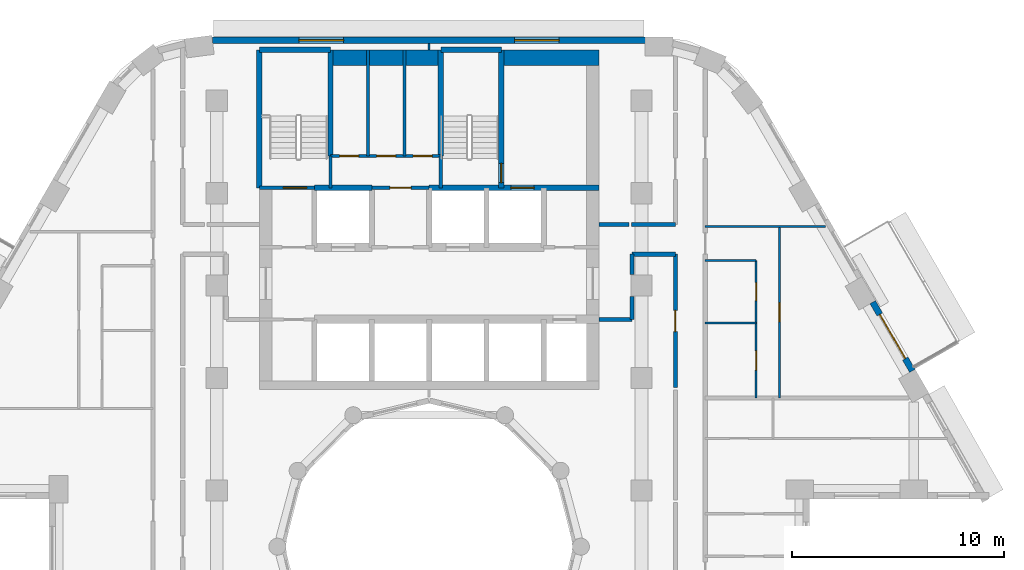
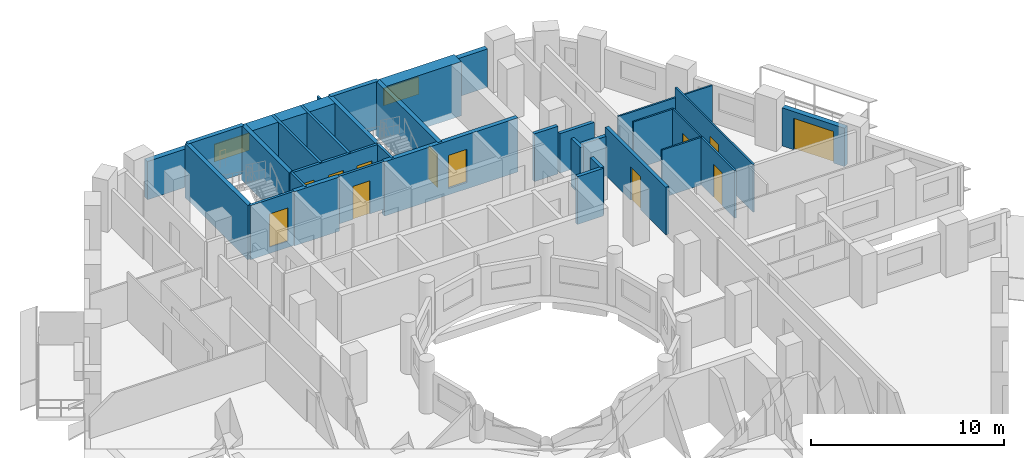
# One storey, part 8 of 14: 32 walls, 12 doors, 2 windows, 14 openings.
"""IFC4 building model written with IfcOpenShell, lengths in metres."""

import ifcopenshell
import ifcopenshell.guid

model = None  # the IFC model being written
_history = None  # IfcOwnerHistory: only IFC2X3 demands one
_inside = {}  # id of a spatial element -> (the spatial element, [elements in it])
_under = {}  # id of a project, library or spatial element -> (it, [spatial elements below it])
_declared = {}  # id of a project -> (the project, [libraries it declares])
_typed = {}  # id of a type object -> (the type object, [elements of that type])
_made_of = {}  # id of a material, layer set ... -> (it, [elements and type objects made of it])


def new_model(schema):
    """Start an empty IFC model of exactly this schema.

    Asked for "IFC4X3", IfcOpenShell would pick the latest addendum, in which some entities
    have other attributes; the version numbers below select the first issue.
    IFC2X3 requires an IfcOwnerHistory on every rooted entity: one is made here for all.
    """
    global model, _history
    if schema == "IFC4X3":
        model = ifcopenshell.file(schema_version=(4, 3, 0, 0))
    else:
        model = ifcopenshell.file(schema=schema)
    _inside.clear()
    _under.clear()
    _declared.clear()
    _typed.clear()
    _made_of.clear()
    _history = None
    if model.schema == "IFC2X3":
        org = make("IfcOrganization", Name="unknown")
        user = make(
            "IfcPersonAndOrganization",
            ThePerson=make("IfcPerson", FamilyName="unknown"),
            TheOrganization=org,
        )
        app = make(
            "IfcApplication",
            ApplicationDeveloper=org,
            Version="unknown",
            ApplicationFullName="unknown",
            ApplicationIdentifier="unknown",
        )
        _history = make(
            "IfcOwnerHistory",
            OwningUser=user,
            OwningApplication=app,
            ChangeAction="ADDED",
            CreationDate=0,
        )
    return model


def make(cls, **values):
    """One entity of the class cls with the attributes given. An attribute that is None is left unset."""
    return model.create_entity(
        cls, **{name: value for name, value in values.items() if value is not None}
    )


def rooted(cls, **values):
    """An entity with a GlobalId (a new one), such as an element, a storey or a relation."""
    return make(cls, GlobalId=ifcopenshell.guid.new(), OwnerHistory=_history, **values)


def si_unit(unit_type, name, prefix=None):
    """IfcSIUnit, for example si_unit("LENGTHUNIT", "METRE", prefix="MILLI")."""
    return make("IfcSIUnit", UnitType=unit_type, Prefix=prefix, Name=name)


def assignment(units):
    """IfcUnitAssignment: the units of a project."""
    return None if units is None else make("IfcUnitAssignment", Units=units)


def point(xyz):
    """IfcCartesianPoint."""
    return None if xyz is None else make("IfcCartesianPoint", Coordinates=xyz)


def direction(xyz):
    """IfcDirection."""
    return None if xyz is None else make("IfcDirection", DirectionRatios=xyz)


def frame(location, z_axis=None, x_axis=None):
    """IfcAxis2Placement3D, a coordinate frame: its origin and axes. An axis left out is left unset."""
    return make(
        "IfcAxis2Placement3D",
        Location=point(location),
        Axis=direction(z_axis),
        RefDirection=direction(x_axis),
    )


def frame_2d(location, x_axis=None):
    """IfcAxis2Placement2D, a coordinate frame in the plane: its origin and x axis."""
    return make(
        "IfcAxis2Placement2D", Location=point(location), RefDirection=direction(x_axis)
    )


def origin():
    """The frame at (0, 0, 0) with its axes left unset."""
    return frame((0.0, 0.0, 0.0))


def place(relative_to, where):
    """IfcLocalPlacement: puts the frame where relative to a parent placement (None: the world)."""
    return make(
        "IfcLocalPlacement", PlacementRelTo=relative_to, RelativePlacement=where
    )


def context(
    kind, dimensions, precision=None, world=None, true_north=None, identifier=None
):
    """IfcGeometricRepresentationContext, for example the 3D "Model" context."""
    return make(
        "IfcGeometricRepresentationContext",
        ContextIdentifier=identifier,
        ContextType=kind,
        CoordinateSpaceDimension=dimensions,
        Precision=precision,
        WorldCoordinateSystem=world,
        TrueNorth=true_north,
    )


def subcontext(parent, identifier, kind, view, scale=None):
    """IfcGeometricRepresentationSubContext, for example "Body" below "Model"."""
    return make(
        "IfcGeometricRepresentationSubContext",
        ContextIdentifier=identifier,
        ContextType=kind,
        ParentContext=parent,
        TargetScale=scale,
        TargetView=view,
    )


def project(units=None, contexts=None):
    """IfcProject with its units and contexts."""
    return rooted(
        "IfcProject",
        Name="project",
        RepresentationContexts=contexts,
        UnitsInContext=assignment(units),
    )


def spatial(cls, under=None, at=None, **own):
    """A site, building, storey or space (cls), placed at a placement, below another one or the project."""
    s = rooted(cls, ObjectPlacement=at, **own)
    if under is not None:
        _under.setdefault(under.id(), (under, []))[1].append(s)
    return s


def profile(cls, at=None, kind="AREA", **sizes):
    """A parametric profile (cls). Its sizes go by their IFC names, for example OverallWidth=200.0."""
    return make(cls, ProfileType=kind, Position=at, **sizes)


def rectangle(**sizes):
    """IfcRectangleProfileDef."""
    return profile("IfcRectangleProfileDef", **sizes)


def extrude(swept, where, along, depth):
    """IfcExtrudedAreaSolid: the profile swept, set in the frame where, extruded along a direction by depth."""
    return make(
        "IfcExtrudedAreaSolid",
        SweptArea=swept,
        Position=where,
        ExtrudedDirection=direction(along),
        Depth=depth,
    )


def shape(context_of_items, identifier, shape_type, items):
    """IfcShapeRepresentation: the items that make up one representation, for example the "Body"."""
    return make(
        "IfcShapeRepresentation",
        ContextOfItems=context_of_items,
        RepresentationIdentifier=identifier,
        RepresentationType=shape_type,
        Items=items,
    )


def material(Name=None, Category=None):
    """IfcMaterial."""
    return make("IfcMaterial", Name=Name, Category=Category)


def layer(
    of_material, thickness, ventilated=None, Name=None, Category=None, Priority=None
):
    """IfcMaterialLayer: one layer of a wall or slab, of a material (None: an air gap)."""
    return make(
        "IfcMaterialLayer",
        Material=of_material,
        LayerThickness=thickness,
        IsVentilated=ventilated,
        Name=Name,
        Category=Category,
        Priority=Priority,
    )


def layer_set(layers, Name=None):
    """IfcMaterialLayerSet."""
    return make("IfcMaterialLayerSet", MaterialLayers=layers, LayerSetName=Name)


def made_of(thing, what):
    """Note that an element or type object is made of a material, layer set ...; save() writes the relation."""
    if what is not None:
        _made_of.setdefault(what.id(), (what, []))[1].append(thing)
    return thing


def type_object(cls, material=None, **own):
    """A type object (cls), such as IfcWallType, which elements share."""
    return made_of(rooted(cls, **own), material)


def element(
    cls,
    number,
    at=None,
    inside=None,
    cuts=None,
    type_object=None,
    material=None,
    context=None,
    identifier="Body",
    shape_type=None,
    held_by="IfcProductDefinitionShape",
    body=None,
    shapes=None,
    **own,
):
    """One element of the class cls, such as IfcWall. Its Tag is "e" and its number.

    at: its placement. inside: the storey or other place that contains it. cuts: it is an
    opening in that element (IfcRelVoidsElement). A single representation is given by context,
    identifier, shape_type and body (its items); several are given by shapes. held_by: the class
    of the entity that holds the representations. save() writes the other relations.
    """
    e = rooted(cls, Tag="e%d" % number, ObjectPlacement=at, **own)
    if body is not None:
        shapes = [shape(context, identifier, shape_type, body)]
    if shapes is not None:
        e.Representation = make(held_by, Representations=shapes)
    if inside is not None:
        _inside.setdefault(inside.id(), (inside, []))[1].append(e)
    if cuts is not None:
        rooted(
            "IfcRelVoidsElement", RelatingBuildingElement=cuts, RelatedOpeningElement=e
        )
    if type_object is not None:
        _typed.setdefault(type_object.id(), (type_object, []))[1].append(e)
    return made_of(e, material)


def fill(opening, filler):
    """IfcRelFillsElement: the door or window that sits in an opening."""
    return rooted(
        "IfcRelFillsElement",
        RelatingOpeningElement=opening,
        RelatedBuildingElement=filler,
    )


def aggregate(whole, parts):
    """IfcRelAggregates: a whole, such as a stair, and the parts it consists of."""
    return rooted("IfcRelAggregates", RelatingObject=whole, RelatedObjects=parts)


def save(model, path):
    """Write the relations noted so far, then the file.

    IfcRelAggregates (storeys below a building ...), IfcRelContainedInSpatialStructure (elements
    in a storey), IfcRelDefinesByType, IfcRelAssociatesMaterial and IfcRelDeclares: one each for
    every whole, place, type object, material and project.
    """
    for whole, parts in _under.values():
        aggregate(whole, parts)
    for where, things in _inside.values():
        rooted(
            "IfcRelContainedInSpatialStructure",
            RelatedElements=things,
            RelatingStructure=where,
        )
    for kind, things in _typed.values():
        rooted("IfcRelDefinesByType", RelatedObjects=things, RelatingType=kind)
    for what, things in _made_of.values():
        rooted("IfcRelAssociatesMaterial", RelatedObjects=things, RelatingMaterial=what)
    for by, libraries in _declared.values():
        rooted("IfcRelDeclares", RelatingContext=by, RelatedDefinitions=libraries)
    model.write(path)


model = new_model("IFC4")

# Units and contexts
model_context = context("Model", 3, precision=1e-05, world=origin(), true_north=direction((0.0, 1.0)))
body_context = subcontext(model_context, "Body", "Model", "MODEL_VIEW")
ifc_project = project(units=[si_unit("LENGTHUNIT", "METRE"), si_unit("AREAUNIT", "SQUARE_METRE"), si_unit("VOLUMEUNIT", "CUBIC_METRE"), si_unit("PLANEANGLEUNIT", "RADIAN"), si_unit("MASSUNIT", "GRAM", prefix="KILO")], contexts=[model_context])

# Site, building, storey
site_placement = place(None, origin())
site = spatial("IfcSite", under=ifc_project, at=site_placement, CompositionType="ELEMENT")
building_placement = place(site_placement, origin())
building = spatial("IfcBuilding", under=site, at=building_placement, Name="Nakaniwa Court", CompositionType="ELEMENT")
storey_placement = place(building_placement, frame((0.0, 0.0, 127.199951171875)))
storey = spatial("IfcBuildingStorey", under=building, at=storey_placement, Name="L32", CompositionType="ELEMENT", Elevation=127.199951171875)

# Wall, opening, door
ifc_material_1 = material(Name="Acoustic double stud partition")
ifc_layer_1 = layer(ifc_material_1, 0.199951171875)
ifc_layer_set_1 = layer_set([ifc_layer_1], Name="Acoustic double stud partition")
wall_type_1 = type_object("IfcWallType", Name="Acoustic double stud partition 200", PredefinedType="PARTITIONING", material=ifc_layer_set_1)
wall_1_placement = place(storey_placement, frame((91.60009765625, 87.4873046875, 0.0), z_axis=(0.0, 0.0, 1.0), x_axis=(0.0, 1.0, 0.0)))
wall_1 = element("IfcWall", 1, at=wall_1_placement, inside=storey, type_object=wall_type_1, Name="Partition PW-078", PredefinedType="PARTITIONING", context=body_context, shape_type="SweptSolid", body=[
    extrude(rectangle(XDim=6.28759765625, YDim=0.199951171875, at=frame_2d((3.143798828125, 0.0))), origin(), (0.0, 0.0, 1.0), 3.025146484375),
])
opening_1_placement = place(wall_1_placement, frame((2.64501953125, 0.0, 0.0)))
opening_1 = element("IfcOpeningElement", 2, at=opening_1_placement, cuts=wall_1, Name="Opening D-02-03", PredefinedType="OPENING", context=body_context, shape_type="SweptSolid", body=[
    extrude(rectangle(XDim=1.0, YDim=2.10009765625, at=frame_2d((0.5, 1.050048828125))), frame((0.0, 0.10986328125, 0.0), z_axis=(0.0, -1.0, 0.0), x_axis=(1.0, 0.0, 0.0)), (0.0, 0.0, 1.0), 0.219970703125),
])
ifc_material_2 = material(Name="Solid core timber door set, black veneer", Category="wood")
door_type_1 = type_object("IfcDoorType", Name="Internal door 1000", OperationType="NOTDEFINED", PredefinedType="DOOR", material=ifc_material_2)
door_1_placement = place(opening_1_placement, origin())
door_1 = element("IfcDoor", 3, at=door_1_placement, inside=storey, type_object=door_type_1, Name="Door D-02-03 L32-028", OperationType="SINGLE_SWING_LEFT", OverallHeight=2.10009765625, OverallWidth=1.0, PredefinedType="DOOR", context=body_context, shape_type="SweptSolid", body=[
    extrude(rectangle(XDim=1.0, YDim=2.10009765625, at=frame_2d((0.5, 1.050048828125))), frame((0.0, 0.02490234375, 0.0), z_axis=(0.0, -1.0, 0.0), x_axis=(1.0, 0.0, 0.0)), (0.0, 0.0, 1.0), 0.050048828125),
])
fill(opening_1, door_1)

# Walls
wall_2_placement = place(storey_placement, frame((89.550048828125, 93.77490234375, 0.0), z_axis=(0.0, 0.0, 1.0), x_axis=(1.0, 0.0, 0.0)))
element("IfcWall", 4, at=wall_2_placement, inside=storey, type_object=wall_type_1, Name="Partition PW-087", PredefinedType="PARTITIONING", context=body_context, shape_type="SweptSolid", body=[
    extrude(rectangle(XDim=2.050048828125, YDim=0.199951171875, at=frame_2d((1.02490234375, 0.0))), origin(), (0.0, 0.0, 1.0), 2.505126953125),
])
wall_3_placement = place(storey_placement, frame((89.550048828125, 90.699951171875, 0.0), z_axis=(0.0, 0.0, 1.0), x_axis=(0.0, 1.0, 0.0)))
element("IfcWall", 5, at=wall_3_placement, inside=storey, type_object=wall_type_1, Name="Partition PW-090", PredefinedType="PARTITIONING", context=body_context, shape_type="SweptSolid", body=[
    extrude(rectangle(XDim=1.082763671875, YDim=0.199951171875, at=frame_2d((0.54150390625, 0.0))), origin(), (0.0, 0.0, 1.0), 3.025146484375),
])
wall_4_placement = place(storey_placement, frame((89.550048828125, 92.817138671875, 0.0), z_axis=(0.0, 0.0, 1.0), x_axis=(0.0, 1.0, 0.0)))
element("IfcWall", 6, at=wall_4_placement, inside=storey, type_object=wall_type_1, Name="Partition PW-091", PredefinedType="PARTITIONING", context=body_context, shape_type="SweptSolid", body=[
    extrude(rectangle(XDim=0.957763671875, YDim=0.199951171875, at=frame_2d((0.47900390625, 0.0))), origin(), (0.0, 0.0, 1.0), 3.025146484375),
])
wall_5_placement = place(storey_placement, frame((88.0, 90.699951171875, 0.0), z_axis=(0.0, 0.0, 1.0), x_axis=(1.0, 0.0, 0.0)))
element("IfcWall", 7, at=wall_5_placement, inside=storey, type_object=wall_type_1, Name="Partition PW-093", PredefinedType="PARTITIONING", context=body_context, shape_type="SweptSolid", body=[
    extrude(rectangle(XDim=1.550048828125, YDim=0.199951171875, at=frame_2d((0.77490234375, 0.0))), origin(), (0.0, 0.0, 1.0), 3.025146484375),
])
wall_6_placement = place(storey_placement, frame((88.0, 95.175048828125, 0.0), z_axis=(0.0, 0.0, 1.0), x_axis=(1.0, 0.0, 0.0)))
element("IfcWall", 8, at=wall_6_placement, inside=storey, type_object=wall_type_1, Name="Partition PW-096", PredefinedType="PARTITIONING", context=body_context, shape_type="SweptSolid", body=[
    extrude(rectangle(XDim=1.4228515625, YDim=0.199951171875, at=frame_2d((0.71142578125, 0.0))), origin(), (0.0, 0.0, 1.0), 3.025146484375),
])
wall_7_placement = place(storey_placement, frame((89.537109375, 95.175048828125, 0.0), z_axis=(0.0, 0.0, 1.0), x_axis=(1.0, 0.0, 0.0)))
element("IfcWall", 9, at=wall_7_placement, inside=storey, type_object=wall_type_1, Name="Partition PW-097", PredefinedType="PARTITIONING", context=body_context, shape_type="SweptSolid", body=[
    extrude(rectangle(XDim=2.06298828125, YDim=0.199951171875, at=frame_2d((1.031494140625, 0.0))), origin(), (0.0, 0.0, 1.0), 2.505126953125),
])

# Wall, opening, door
ifc_material_3 = material(Name="Charcoal ceramic cladding")
ifc_layer_2 = layer(ifc_material_3, 0.02, Name="Ceramic cladding")
ifc_material_4 = material(Name="Ventilated air cavity")
ifc_layer_3 = layer(ifc_material_4, 0.04, ventilated=True, Name="Ventilated cavity")
ifc_material_5 = material(Name="Mineral wool insulation")
ifc_layer_4 = layer(ifc_material_5, 0.1, Name="Insulation")
ifc_material_6 = material(Name="Cement bonded sheathing board")
ifc_layer_5 = layer(ifc_material_6, 0.012, Name="Sheathing")
ifc_material_7 = material(Name="Cold-formed galvanised stud frame with mineral wool infill")
ifc_layer_6 = layer(ifc_material_7, 0.1, Name="Stud frame")
ifc_material_8 = material(Name="Fire-rated gypsum plasterboard lining")
ifc_layer_7 = layer(ifc_material_8, 0.028, Name="Lining")
ifc_layer_set_2 = layer_set([ifc_layer_2, ifc_layer_3, ifc_layer_4, ifc_layer_5, ifc_layer_6, ifc_layer_7], Name="Charcoal ceramic faced external wall system")
wall_type_2 = type_object("IfcWallType", Name="Black ceramic faced external wall 300", PredefinedType="SOLIDWALL", material=ifc_layer_set_2)
wall_8_placement = place(storey_placement, frame((102.759521484375, 88.279052734375, 0.0), z_axis=(0.0, 0.0, 1.0), x_axis=(-0.499933594891, 0.866063739398, 0.0)))
wall_8 = element("IfcWall", 10, at=wall_8_placement, inside=storey, type_object=wall_type_2, Name="L32 external wall 03", PredefinedType="SOLIDWALL", context=body_context, shape_type="SweptSolid", body=[
    extrude(rectangle(XDim=3.73681640625, YDim=0.300048828125, at=frame_2d((1.868408203125, 0.0))), origin(), (0.0, 0.0, 1.0), 2.425048828125),
])
opening_2_placement = place(wall_8_placement, frame((0.66845703125, 0.0, 0.0)))
opening_2 = element("IfcOpeningElement", 11, at=opening_2_placement, cuts=wall_8, Name="Opening XD13.01", PredefinedType="OPENING", context=body_context, shape_type="SweptSolid", body=[
    extrude(rectangle(XDim=2.39990234375, YDim=2.0, at=frame_2d((1.199951171875, 1.0))), frame((0.0, 0.159912109375, 0.0), z_axis=(0.0, -1.0, 0.0), x_axis=(1.0, 0.0, 0.0)), (0.0, 0.0, 1.0), 0.320068359375),
])
ifc_material_9 = material(Name="Black powder-coated aluminium frame with dark laminated glass", Category="aluminium")
door_type_2 = type_object("IfcDoorType", Name="Balcony sliding door 2400x2000", OperationType="DOUBLE_DOOR_SLIDING", PredefinedType="DOOR", material=ifc_material_9)
door_2_placement = place(opening_2_placement, origin())
door_2 = element("IfcDoor", 12, at=door_2_placement, inside=storey, type_object=door_type_2, Name="L32 balcony sliding door 02", OperationType="DOUBLE_DOOR_SLIDING", OverallHeight=2.0, OverallWidth=2.39990234375, PredefinedType="DOOR", context=body_context, shape_type="SweptSolid", body=[
    extrude(rectangle(XDim=2.39990234375, YDim=2.0, at=frame_2d((1.199951171875, 1.0))), frame((0.0, 0.02490234375, 0.0), z_axis=(0.0, -1.0, 0.0), x_axis=(1.0, 0.0, 0.0)), (0.0, 0.0, 1.0), 0.050048828125),
])
fill(opening_2, door_2)

# Wall, openings, windows
wall_9_placement = place(storey_placement, frame((90.1787109375, 103.85009765625, 0.0), z_axis=(0.0, 0.0, 1.0), x_axis=(-1.0, 0.0, 0.0)))
wall_9 = element("IfcWall", 13, at=wall_9_placement, inside=storey, type_object=wall_type_2, Name="L32 external wall 08", PredefinedType="SOLIDWALL", context=body_context, shape_type="SweptSolid", body=[
    extrude(rectangle(XDim=20.391357421875, YDim=0.300048828125, at=frame_2d((10.19580078125, 0.0))), origin(), (0.0, 0.0, 1.0), 2.425048828125),
])
opening_3_placement = place(wall_9_placement, frame((4.05126953125, 0.0, 0.89990234375)))
opening_3 = element("IfcOpeningElement", 14, at=opening_3_placement, cuts=wall_9, Name="Opening W7.09", PredefinedType="OPENING", context=body_context, shape_type="SweptSolid", body=[
    extrude(rectangle(XDim=2.10009765625, YDim=1.10009765625, at=frame_2d((1.050048828125, 0.550048828125))), frame((0.0, 0.159912109375, 0.0), z_axis=(0.0, -1.0, 0.0), x_axis=(1.0, 0.0, 0.0)), (0.0, 0.0, 1.0), 0.320068359375),
])
opening_4_placement = place(wall_9_placement, frame((14.211669921875, 0.0, 0.89990234375)))
opening_4 = element("IfcOpeningElement", 15, at=opening_4_placement, cuts=wall_9, Name="Opening W7.10", PredefinedType="OPENING", context=body_context, shape_type="SweptSolid", body=[
    extrude(rectangle(XDim=2.10009765625, YDim=1.10009765625, at=frame_2d((1.050048828125, 0.550048828125))), frame((0.0, 0.159912109375, 0.0), z_axis=(0.0, -1.0, 0.0), x_axis=(1.0, 0.0, 0.0)), (0.0, 0.0, 1.0), 0.320068359375),
])
ifc_material_10 = material(Name="Black anodised aluminium frame with dark low-E laminated double glazing", Category="aluminium")
window_type = type_object("IfcWindowType", Name="Dark glass window 2100x1100 sill 900", PartitioningType="SINGLE_PANEL", PredefinedType="WINDOW", material=ifc_material_10)
window_1_placement = place(opening_3_placement, origin())
window_1 = element("IfcWindow", 16, at=window_1_placement, inside=storey, type_object=window_type, Name="L32 habitable room window 08-0", OverallHeight=1.10009765625, OverallWidth=2.10009765625, PartitioningType="SINGLE_PANEL", PredefinedType="WINDOW", context=body_context, shape_type="SweptSolid", body=[
    extrude(rectangle(XDim=2.10009765625, YDim=1.10009765625, at=frame_2d((1.050048828125, 0.550048828125))), frame((0.0, 0.030029296875, 0.0), z_axis=(0.0, -1.0, 0.0), x_axis=(1.0, 0.0, 0.0)), (0.0, 0.0, 1.0), 0.06005859375),
])
fill(opening_3, window_1)
window_2_placement = place(opening_4_placement, origin())
window_2 = element("IfcWindow", 17, at=window_2_placement, inside=storey, type_object=window_type, Name="L32 habitable room window 08-1", OverallHeight=1.10009765625, OverallWidth=2.10009765625, PartitioningType="SINGLE_PANEL", PredefinedType="WINDOW", context=body_context, shape_type="SweptSolid", body=[
    extrude(rectangle(XDim=2.10009765625, YDim=1.10009765625, at=frame_2d((1.050048828125, 0.550048828125))), frame((0.0, 0.030029296875, 0.0), z_axis=(0.0, -1.0, 0.0), x_axis=(1.0, 0.0, 0.0)), (0.0, 0.0, 1.0), 0.06005859375),
])
fill(opening_4, window_2)

# Wall, opening, door
ifc_material_11 = material(Name="Blockwork partition", Category="masonry")
ifc_layer_8 = layer(ifc_material_11, 0.14990234375)
ifc_layer_set_3 = layer_set([ifc_layer_8], Name="Blockwork partition")
wall_type_3 = type_object("IfcWallType", Name="Blockwork partition 150", PredefinedType="PARTITIONING", material=ifc_layer_set_3)
wall_10_placement = place(storey_placement, frame((77.300048828125, 96.89990234375, 0.0), z_axis=(0.0, 0.0, 1.0), x_axis=(1.0, 0.0, 0.0)))
wall_10 = element("IfcWall", 18, at=wall_10_placement, inside=storey, type_object=wall_type_3, Name="Partition PW-023", PredefinedType="PARTITIONING", context=body_context, shape_type="SweptSolid", body=[
    extrude(rectangle(XDim=2.699951171875, YDim=0.14990234375, at=frame_2d((1.35009765625, 0.0))), origin(), (0.0, 0.0, 1.0), 3.025146484375),
])
opening_5_placement = place(wall_10_placement, frame((0.85009765625, 0.0, 0.0)))
opening_5 = element("IfcOpeningElement", 19, at=opening_5_placement, cuts=wall_10, Name="Opening D-23-01", PredefinedType="OPENING", context=body_context, shape_type="SweptSolid", body=[
    extrude(rectangle(XDim=1.0, YDim=2.10009765625, at=frame_2d((0.5, 1.050048828125))), frame((0.0, 0.0849609375, 0.0), z_axis=(0.0, -1.0, 0.0), x_axis=(1.0, 0.0, 0.0)), (0.0, 0.0, 1.0), 0.169921875),
])
ifc_material_12 = material(Name="Fire rated steel door set", Category="steel")
door_type_3 = type_object("IfcDoorType", Name="Service room door 1000", OperationType="NOTDEFINED", PredefinedType="DOOR", material=ifc_material_12)
door_3_placement = place(opening_5_placement, origin())
door_3 = element("IfcDoor", 20, at=door_3_placement, inside=storey, type_object=door_type_3, Name="Door D-23-01 L32-005", OperationType="SINGLE_SWING_RIGHT", OverallHeight=2.10009765625, OverallWidth=1.0, PredefinedType="DOOR", context=body_context, shape_type="SweptSolid", body=[
    extrude(rectangle(XDim=1.0, YDim=2.10009765625, at=frame_2d((0.5, 1.050048828125))), frame((0.0, 0.02490234375, 0.0), z_axis=(0.0, -1.0, 0.0), x_axis=(1.0, 0.0, 0.0)), (0.0, 0.0, 1.0), 0.050048828125),
])
fill(opening_5, door_3)

# Wall, openings, doors
wall_11_placement = place(storey_placement, frame((75.35009765625, 98.39990234375, 0.0), z_axis=(0.0, 0.0, 1.0), x_axis=(1.0, 0.0, 0.0)))
wall_11 = element("IfcWall", 21, at=wall_11_placement, inside=storey, type_object=wall_type_3, Name="Partition PW-034", PredefinedType="PARTITIONING", context=body_context, shape_type="SweptSolid", body=[
    extrude(rectangle(XDim=5.199951171875, YDim=0.14990234375, at=frame_2d((2.60009765625, 0.0))), origin(), (0.0, 0.0, 1.0), 3.025146484375),
])
opening_6_placement = place(wall_11_placement, frame((0.43408203125, 0.0, 0.0)))
opening_6 = element("IfcOpeningElement", 22, at=opening_6_placement, cuts=wall_11, Name="Opening D-05-03", PredefinedType="OPENING", context=body_context, shape_type="SweptSolid", body=[
    extrude(rectangle(XDim=0.89990234375, YDim=2.10009765625, at=frame_2d((0.449951171875, 1.050048828125))), frame((0.0, 0.0849609375, 0.0), z_axis=(0.0, -1.0, 0.0), x_axis=(1.0, 0.0, 0.0)), (0.0, 0.0, 1.0), 0.169921875),
])
opening_7_placement = place(wall_11_placement, frame((2.176025390625, 0.0, 0.0)))
opening_7 = element("IfcOpeningElement", 23, at=opening_7_placement, cuts=wall_11, Name="Opening D-05-04", PredefinedType="OPENING", context=body_context, shape_type="SweptSolid", body=[
    extrude(rectangle(XDim=0.89990234375, YDim=2.10009765625, at=frame_2d((0.449951171875, 1.050048828125))), frame((0.0, 0.0849609375, 0.0), z_axis=(0.0, -1.0, 0.0), x_axis=(1.0, 0.0, 0.0)), (0.0, 0.0, 1.0), 0.169921875),
])
opening_8_placement = place(wall_11_placement, frame((3.89208984375, 0.0, 0.0)))
opening_8 = element("IfcOpeningElement", 24, at=opening_8_placement, cuts=wall_11, Name="Opening D-05-05", PredefinedType="OPENING", context=body_context, shape_type="SweptSolid", body=[
    extrude(rectangle(XDim=0.89990234375, YDim=2.10009765625, at=frame_2d((0.449951171875, 1.050048828125))), frame((0.0, 0.0849609375, 0.0), z_axis=(0.0, -1.0, 0.0), x_axis=(1.0, 0.0, 0.0)), (0.0, 0.0, 1.0), 0.169921875),
])
door_type_4 = type_object("IfcDoorType", Name="Service room door 900", OperationType="NOTDEFINED", PredefinedType="DOOR", material=ifc_material_12)
door_4_placement = place(opening_6_placement, origin())
door_4 = element("IfcDoor", 25, at=door_4_placement, inside=storey, type_object=door_type_4, Name="Door D-05-03 L32-006", OperationType="SINGLE_SWING_LEFT", OverallHeight=2.10009765625, OverallWidth=0.89990234375, PredefinedType="DOOR", context=body_context, shape_type="SweptSolid", body=[
    extrude(rectangle(XDim=0.89990234375, YDim=2.10009765625, at=frame_2d((0.449951171875, 1.050048828125))), frame((0.0, 0.02490234375, 0.0), z_axis=(0.0, -1.0, 0.0), x_axis=(1.0, 0.0, 0.0)), (0.0, 0.0, 1.0), 0.050048828125),
])
fill(opening_6, door_4)
door_5_placement = place(opening_7_placement, origin())
door_5 = element("IfcDoor", 26, at=door_5_placement, inside=storey, type_object=door_type_4, Name="Door D-05-04 L32-007", OperationType="SINGLE_SWING_RIGHT", OverallHeight=2.10009765625, OverallWidth=0.89990234375, PredefinedType="DOOR", context=body_context, shape_type="SweptSolid", body=[
    extrude(rectangle(XDim=0.89990234375, YDim=2.10009765625, at=frame_2d((0.449951171875, 1.050048828125))), frame((0.0, 0.02490234375, 0.0), z_axis=(0.0, -1.0, 0.0), x_axis=(1.0, 0.0, 0.0)), (0.0, 0.0, 1.0), 0.050048828125),
])
fill(opening_7, door_5)
door_6_placement = place(opening_8_placement, origin())
door_6 = element("IfcDoor", 27, at=door_6_placement, inside=storey, type_object=door_type_4, Name="Door D-05-05 L32-008", OperationType="SINGLE_SWING_LEFT", OverallHeight=2.10009765625, OverallWidth=0.89990234375, PredefinedType="DOOR", context=body_context, shape_type="SweptSolid", body=[
    extrude(rectangle(XDim=0.89990234375, YDim=2.10009765625, at=frame_2d((0.449951171875, 1.050048828125))), frame((0.0, 0.02490234375, 0.0), z_axis=(0.0, -1.0, 0.0), x_axis=(1.0, 0.0, 0.0)), (0.0, 0.0, 1.0), 0.050048828125),
])
fill(opening_8, door_6)

# Walls
for number, where, z_axis, x_axis, name in (
    (28, (77.117919921875, 98.39990234375, 0.0), (0.0, 0.0, 1.0), (0.0, 1.0, 0.0), "Partition PW-035"),
    (29, (78.833984375, 98.39990234375, 0.0), (0.0, 0.0, 1.0), (0.0, 1.0, 0.0), "Partition PW-036"),
):
    element("IfcWall", number, at=place(storey_placement, frame(where, z_axis=z_axis, x_axis=x_axis)), inside=storey, type_object=wall_type_3, Name=name, PredefinedType="PARTITIONING", context=body_context, shape_type="SweptSolid", body=[
        extrude(rectangle(XDim=5.0, YDim=0.14990234375, at=frame_2d((2.5, 0.0))), origin(), (0.0, 0.0, 1.0), 3.025146484375),
    ])

# Wall, opening, door
ifc_material_13 = material(Name="Concrete C80/100", Category="concrete")
ifc_layer_9 = layer(ifc_material_13, 0.14990234375)
ifc_layer_set_4 = layer_set([ifc_layer_9], Name="Concrete C80/100")
wall_type_4 = type_object("IfcWallType", Name="Concrete core wall 150 C80", PredefinedType="SHEAR", material=ifc_layer_set_4)
wall_12_placement = place(storey_placement, frame((74.60009765625, 96.89990234375, -0.409912109375), z_axis=(0.0, 0.0, 1.0), x_axis=(-1.0, 0.0, 0.0)))
wall_12 = element("IfcWall", 30, at=wall_12_placement, inside=storey, type_object=wall_type_4, Name="Core wall SW-20", PredefinedType="SHEAR", context=body_context, shape_type="SweptSolid", body=[
    extrude(rectangle(XDim=2.60009765625, YDim=0.14990234375, at=frame_2d((1.300048828125, 0.0))), origin(), (0.0, 0.0, 1.0), 3.43505859375),
])
opening_9_placement = place(wall_12_placement, frame((0.3701171875, 0.0, 0.409912109375)))
opening_9 = element("IfcOpeningElement", 31, at=opening_9_placement, cuts=wall_12, Name="Opening D-09-01", PredefinedType="OPENING", context=body_context, shape_type="SweptSolid", body=[
    extrude(rectangle(XDim=1.10009765625, YDim=2.10009765625, at=frame_2d((0.550048828125, 1.050048828125))), frame((0.0, 0.0849609375, 0.0), z_axis=(0.0, -1.0, 0.0), x_axis=(1.0, 0.0, 0.0)), (0.0, 0.0, 1.0), 0.169921875),
])
door_type_5 = type_object("IfcDoorType", Name="Stair door 1100", OperationType="NOTDEFINED", PredefinedType="DOOR", material=ifc_material_12)
door_7_placement = place(opening_9_placement, origin())
door_7 = element("IfcDoor", 32, at=door_7_placement, inside=storey, type_object=door_type_5, Name="Door D-09-01 L32-009", OperationType="SINGLE_SWING_LEFT", OverallHeight=2.10009765625, OverallWidth=1.10009765625, PredefinedType="DOOR", context=body_context, shape_type="SweptSolid", body=[
    extrude(rectangle(XDim=1.10009765625, YDim=2.10009765625, at=frame_2d((0.550048828125, 1.050048828125))), frame((0.0, 0.02490234375, 0.0), z_axis=(0.0, -1.0, 0.0), x_axis=(1.0, 0.0, 0.0)), (0.0, 0.0, 1.0), 0.050048828125),
])
fill(opening_9, door_7)

# Walls
for number, where, z_axis, x_axis, name in (
    (33, (75.35009765625, 96.89990234375, -0.409912109375), (0.0, 0.0, 1.0), (0.0, 1.0, 0.0), "Core wall SW-24"),
    (34, (80.550048828125, 96.89990234375, -0.409912109375), (0.0, 0.0, 1.0), (0.0, 1.0, 0.0), "Core wall SW-30"),
):
    element("IfcWall", number, at=place(storey_placement, frame(where, z_axis=z_axis, x_axis=x_axis)), inside=storey, type_object=wall_type_4, Name=name, PredefinedType="SHEAR", context=body_context, shape_type="SweptSolid", body=[
        extrude(rectangle(XDim=1.503173828125, YDim=0.14990234375, at=frame_2d((0.75146484375, 0.0))), origin(), (0.0, 0.0, 1.0), 3.43505859375),
    ])
ifc_layer_10 = layer(ifc_material_13, 0.25)
ifc_layer_set_5 = layer_set([ifc_layer_10], Name="Concrete C80/100")
wall_type_5 = type_object("IfcWallType", Name="Concrete core wall 250 C80", PredefinedType="SHEAR", material=ifc_layer_set_5)
wall_13_placement = place(storey_placement, frame((72.0, 103.39990234375, 0.0), z_axis=(0.0, 0.0, 1.0), x_axis=(1.0, 0.0, 0.0)))
element("IfcWall", 35, at=wall_13_placement, inside=storey, type_object=wall_type_5, Name="Core wall SW-26", PredefinedType="SHEAR", context=body_context, shape_type="SweptSolid", body=[
    extrude(rectangle(XDim=3.35009765625, YDim=0.25, at=frame_2d((1.675048828125, 0.0))), origin(), (0.0, 0.0, 1.0), 3.025146484375),
])
wall_14_placement = place(storey_placement, frame((80.550048828125, 103.39990234375, 0.0), z_axis=(0.0, 0.0, 1.0), x_axis=(1.0, 0.0, 0.0)))
element("IfcWall", 36, at=wall_14_placement, inside=storey, type_object=wall_type_5, Name="Core wall SW-27", PredefinedType="SHEAR", context=body_context, shape_type="SweptSolid", body=[
    extrude(rectangle(XDim=2.849853515625, YDim=0.25, at=frame_2d((1.4248046875, 0.0))), origin(), (0.0, 0.0, 1.0), 3.025146484375),
])
wall_15_placement = place(storey_placement, frame((72.0, 96.89990234375, -0.409912109375), z_axis=(0.0, 0.0, 1.0), x_axis=(0.0, 1.0, 0.0)))
element("IfcWall", 37, at=wall_15_placement, inside=storey, type_object=wall_type_5, Name="Core wall SW-28", PredefinedType="SHEAR", context=body_context, shape_type="SweptSolid", body=[
    extrude(rectangle(XDim=6.5, YDim=0.25, at=frame_2d((3.25, 0.0))), origin(), (0.0, 0.0, 1.0), 3.43505859375),
])
ifc_layer_11 = layer(ifc_material_13, 0.75)
ifc_layer_set_6 = layer_set([ifc_layer_11], Name="Concrete C80/100")
wall_type_6 = type_object("IfcWallType", Name="Concrete core wall 750 C80", PredefinedType="SHEAR", material=ifc_layer_set_6)
wall_16_placement = place(storey_placement, frame((75.35009765625, 103.02490234375, -0.409912109375), z_axis=(0.0, 0.0, 1.0), x_axis=(1.0, 0.0, 0.0)))
element("IfcWall", 38, at=wall_16_placement, inside=storey, type_object=wall_type_6, Name="Core wall SW-32", PredefinedType="SHEAR", context=body_context, shape_type="SweptSolid", body=[
    extrude(rectangle(XDim=5.199951171875, YDim=0.75, at=frame_2d((2.60009765625, 0.0))), origin(), (0.0, 0.0, 1.0), 3.43505859375),
])
wall_17_placement = place(storey_placement, frame((83.39990234375, 103.02490234375, -0.409912109375), z_axis=(0.0, 0.0, 1.0), x_axis=(1.0, 0.0, 0.0)))
element("IfcWall", 39, at=wall_17_placement, inside=storey, type_object=wall_type_6, Name="Core wall SW-33", PredefinedType="SHEAR", context=body_context, shape_type="SweptSolid", body=[
    extrude(rectangle(XDim=4.60009765625, YDim=0.75, at=frame_2d((2.300048828125, 0.0))), origin(), (0.0, 0.0, 1.0), 3.43505859375),
])
ifc_layer_12 = layer(ifc_material_13, 0.25)
ifc_layer_set_7 = layer_set([ifc_layer_12], Name="Concrete C80/100")
wall_type_7 = type_object("IfcWallType", Name="Concrete shaft wall 250 C80", PredefinedType="SHEAR", material=ifc_layer_set_7)
wall_18_placement = place(storey_placement, frame((74.60009765625, 96.89990234375, -0.409912109375), z_axis=(0.0, 0.0, 1.0), x_axis=(1.0, 0.0, 0.0)))
element("IfcWall", 40, at=wall_18_placement, inside=storey, type_object=wall_type_7, Name="Core wall SW-21", PredefinedType="SHEAR", context=body_context, shape_type="SweptSolid", body=[
    extrude(rectangle(XDim=2.699951171875, YDim=0.25, at=frame_2d((1.35009765625, 0.0))), origin(), (0.0, 0.0, 1.0), 3.43505859375),
])

# Wall, opening, door
wall_19_placement = place(storey_placement, frame((80.0, 96.89990234375, -0.409912109375), z_axis=(0.0, 0.0, 1.0), x_axis=(1.0, 0.0, 0.0)))
wall_19 = element("IfcWall", 41, at=wall_19_placement, inside=storey, type_object=wall_type_7, Name="Core wall SW-22", PredefinedType="SHEAR", context=body_context, shape_type="SweptSolid", body=[
    extrude(rectangle(XDim=8.0, YDim=0.25, at=frame_2d((4.0, 0.0))), origin(), (0.0, 0.0, 1.0), 3.43505859375),
])
opening_10_placement = place(wall_19_placement, frame((3.84912109375, 0.0, 0.409912109375)))
opening_10 = element("IfcOpeningElement", 42, at=opening_10_placement, cuts=wall_19, Name="Opening LD04", PredefinedType="OPENING", context=body_context, shape_type="SweptSolid", body=[
    extrude(rectangle(XDim=1.10009765625, YDim=2.10009765625, at=frame_2d((0.550048828125, 1.050048828125))), frame((0.0, 0.135009765625, 0.0), z_axis=(0.0, -1.0, 0.0), x_axis=(1.0, 0.0, 0.0)), (0.0, 0.0, 1.0), 0.27001953125),
])
ifc_material_14 = material(Name="Stainless steel sliding lift landing door", Category="steel")
door_type_6 = type_object("IfcDoorType", Name="Lift landing door 1100", OperationType="NOTDEFINED", PredefinedType="DOOR", material=ifc_material_14)
door_8_placement = place(opening_10_placement, origin())
door_8 = element("IfcDoor", 43, at=door_8_placement, inside=storey, type_object=door_type_6, Name="Lift landing door LD04 L32-004", OperationType="SLIDING_TO_LEFT", OverallHeight=2.10009765625, OverallWidth=1.10009765625, PredefinedType="DOOR", context=body_context, shape_type="SweptSolid", body=[
    extrude(rectangle(XDim=1.10009765625, YDim=2.10009765625, at=frame_2d((0.550048828125, 1.050048828125))), frame((0.0, 0.02490234375, 0.0), z_axis=(0.0, -1.0, 0.0), x_axis=(1.0, 0.0, 0.0)), (0.0, 0.0, 1.0), 0.050048828125),
])
fill(opening_10, door_8)

# Wall
wall_20_placement = place(storey_placement, frame((75.35009765625, 98.39697265625, -0.409912109375), z_axis=(0.0, 0.0, 1.0), x_axis=(0.0, 1.0, 0.0)))
element("IfcWall", 44, at=wall_20_placement, inside=storey, type_object=wall_type_7, Name="Core wall SW-25", PredefinedType="SHEAR", context=body_context, shape_type="SweptSolid", body=[
    extrude(rectangle(XDim=5.0029296875, YDim=0.25, at=frame_2d((2.50146484375, 0.0))), origin(), (0.0, 0.0, 1.0), 3.43505859375),
])

# Wall, opening, door
wall_21_placement = place(storey_placement, frame((83.39990234375, 103.39990234375, -0.409912109375), z_axis=(0.0, 0.0, 1.0), x_axis=(0.0, -1.0, 0.0)))
wall_21 = element("IfcWall", 45, at=wall_21_placement, inside=storey, type_object=wall_type_7, Name="Core wall SW-29", PredefinedType="SHEAR", context=body_context, shape_type="SweptSolid", body=[
    extrude(rectangle(XDim=6.5, YDim=0.25, at=frame_2d((3.25, 0.0))), origin(), (0.0, 0.0, 1.0), 3.43505859375),
])
opening_11_placement = place(wall_21_placement, frame((5.35009765625, 0.0, 0.409912109375)))
opening_11 = element("IfcOpeningElement", 46, at=opening_11_placement, cuts=wall_21, Name="Opening D-11-01", PredefinedType="OPENING", context=body_context, shape_type="SweptSolid", body=[
    extrude(rectangle(XDim=0.89990234375, YDim=2.10009765625, at=frame_2d((0.449951171875, 1.050048828125))), frame((0.0, 0.135009765625, 0.0), z_axis=(0.0, -1.0, 0.0), x_axis=(1.0, 0.0, 0.0)), (0.0, 0.0, 1.0), 0.27001953125),
])
door_type_7 = type_object("IfcDoorType", Name="Stair door 900", OperationType="NOTDEFINED", PredefinedType="DOOR", material=ifc_material_12)
door_9_placement = place(opening_11_placement, origin())
door_9 = element("IfcDoor", 47, at=door_9_placement, inside=storey, type_object=door_type_7, Name="Door D-11-01 L32-010", OperationType="SINGLE_SWING_RIGHT", OverallHeight=2.10009765625, OverallWidth=0.89990234375, PredefinedType="DOOR", context=body_context, shape_type="SweptSolid", body=[
    extrude(rectangle(XDim=0.89990234375, YDim=2.10009765625, at=frame_2d((0.449951171875, 1.050048828125))), frame((0.0, 0.02490234375, 0.0), z_axis=(0.0, -1.0, 0.0), x_axis=(1.0, 0.0, 0.0)), (0.0, 0.0, 1.0), 0.050048828125),
])
fill(opening_11, door_9)

# Walls
wall_22_placement = place(storey_placement, frame((80.550048828125, 98.39697265625, -0.409912109375), z_axis=(0.0, 0.0, 1.0), x_axis=(0.0, 1.0, 0.0)))
element("IfcWall", 48, at=wall_22_placement, inside=storey, type_object=wall_type_7, Name="Core wall SW-31", PredefinedType="SHEAR", context=body_context, shape_type="SweptSolid", body=[
    extrude(rectangle(XDim=5.0029296875, YDim=0.25, at=frame_2d((2.50146484375, 0.0))), origin(), (0.0, 0.0, 1.0), 3.43505859375),
])
ifc_material_15 = material(Name="Single stud plasterboard partition")
ifc_layer_13 = layer(ifc_material_15, 0.10009765625)
ifc_layer_set_8 = layer_set([ifc_layer_13], Name="Single stud plasterboard partition")
wall_type_8 = type_object("IfcWallType", Name="Single stud plasterboard partition 100", PredefinedType="PARTITIONING", material=ifc_layer_set_8)
wall_23_placement = place(storey_placement, frame((80.0, 103.39990234375, 0.0), z_axis=(0.0, 0.0, 1.0), x_axis=(0.0, 1.0, 0.0)))
element("IfcWall", 49, at=wall_23_placement, inside=storey, type_object=wall_type_8, Name="Partition PW-118", PredefinedType="PARTITIONING", context=body_context, shape_type="SweptSolid", body=[
    extrude(rectangle(XDim=0.300048828125, YDim=0.10009765625, at=frame_2d((0.14990234375, 0.0))), origin(), (0.0, 0.0, 1.0), 3.025146484375),
])
wall_24_placement = place(storey_placement, frame((93.0009765625, 90.535888671875, 0.0), z_axis=(0.0, 0.0, 1.0), x_axis=(1.0, 0.0, 0.0)))
element("IfcWall", 50, at=wall_24_placement, inside=storey, type_object=wall_type_8, Name="Partition PW-127", PredefinedType="PARTITIONING", context=body_context, shape_type="SweptSolid", body=[
    extrude(rectangle(XDim=2.39990234375, YDim=0.10009765625, at=frame_2d((1.199951171875, 0.0))), origin(), (0.0, 0.0, 1.0), 3.025146484375),
])

# Wall, openings, doors
wall_25_placement = place(storey_placement, frame((95.40087890625, 87.0, 0.0), z_axis=(0.0, 0.0, 1.0), x_axis=(0.0, 1.0, 0.0)))
wall_25 = element("IfcWall", 51, at=wall_25_placement, inside=storey, type_object=wall_type_8, Name="Partition PW-128", PredefinedType="PARTITIONING", context=body_context, shape_type="SweptSolid", body=[
    extrude(rectangle(XDim=6.483154296875, YDim=0.10009765625, at=frame_2d((3.24169921875, 0.0))), origin(), (0.0, 0.0, 1.0), 3.025146484375),
])
opening_12_placement = place(wall_25_placement, frame((1.318115234375, 0.0, 0.0)))
opening_12 = element("IfcOpeningElement", 52, at=opening_12_placement, cuts=wall_25, Name="Opening D-33-04", PredefinedType="OPENING", context=body_context, shape_type="SweptSolid", body=[
    extrude(rectangle(XDim=0.89990234375, YDim=2.10009765625, at=frame_2d((0.449951171875, 1.050048828125))), frame((0.0, 0.06005859375, 0.0), z_axis=(0.0, -1.0, 0.0), x_axis=(1.0, 0.0, 0.0)), (0.0, 0.0, 1.0), 0.1201171875),
])
opening_13_placement = place(wall_25_placement, frame((4.5849609375, 0.0, 0.0)))
opening_13 = element("IfcOpeningElement", 53, at=opening_13_placement, cuts=wall_25, Name="Opening D-03-02", PredefinedType="OPENING", context=body_context, shape_type="SweptSolid", body=[
    extrude(rectangle(XDim=0.85009765625, YDim=2.10009765625, at=frame_2d((0.425048828125, 1.050048828125))), frame((0.0, 0.06005859375, 0.0), z_axis=(0.0, -1.0, 0.0), x_axis=(1.0, 0.0, 0.0)), (0.0, 0.0, 1.0), 0.1201171875),
])
ifc_material_16 = material(Name="Moisture sealed timber door set", Category="wood")
door_type_8 = type_object("IfcDoorType", Name="Bathroom door 850", OperationType="NOTDEFINED", PredefinedType="DOOR", material=ifc_material_16)
door_10_placement = place(opening_13_placement, origin())
door_10 = element("IfcDoor", 54, at=door_10_placement, inside=storey, type_object=door_type_8, Name="Door D-03-02 L32-031", OperationType="SINGLE_SWING_RIGHT", OverallHeight=2.10009765625, OverallWidth=0.85009765625, PredefinedType="DOOR", context=body_context, shape_type="SweptSolid", body=[
    extrude(rectangle(XDim=0.85009765625, YDim=2.10009765625, at=frame_2d((0.425048828125, 1.050048828125))), frame((0.0, 0.02490234375, 0.0), z_axis=(0.0, -1.0, 0.0), x_axis=(1.0, 0.0, 0.0)), (0.0, 0.0, 1.0), 0.050048828125),
])
fill(opening_13, door_10)
door_type_9 = type_object("IfcDoorType", Name="Internal door 900", OperationType="NOTDEFINED", PredefinedType="DOOR", material=ifc_material_2)
door_11_placement = place(opening_12_placement, origin())
door_11 = element("IfcDoor", 55, at=door_11_placement, inside=storey, type_object=door_type_9, Name="Door D-33-04 L32-030", OperationType="SINGLE_SWING_LEFT", OverallHeight=2.10009765625, OverallWidth=0.89990234375, PredefinedType="DOOR", context=body_context, shape_type="SweptSolid", body=[
    extrude(rectangle(XDim=0.89990234375, YDim=2.10009765625, at=frame_2d((0.449951171875, 1.050048828125))), frame((0.0, 0.02490234375, 0.0), z_axis=(0.0, -1.0, 0.0), x_axis=(1.0, 0.0, 0.0)), (0.0, 0.0, 1.0), 0.050048828125),
])
fill(opening_12, door_11)

# Wall
wall_26_placement = place(storey_placement, frame((93.0009765625, 93.48291015625, 0.0), z_axis=(0.0, 0.0, 1.0), x_axis=(1.0, 0.0, 0.0)))
element("IfcWall", 56, at=wall_26_placement, inside=storey, type_object=wall_type_8, Name="Partition PW-129", PredefinedType="PARTITIONING", context=body_context, shape_type="SweptSolid", body=[
    extrude(rectangle(XDim=2.39990234375, YDim=0.10009765625, at=frame_2d((1.199951171875, 0.0))), origin(), (0.0, 0.0, 1.0), 3.025146484375),
])

# Wall, opening, door
wall_27_placement = place(storey_placement, frame((96.5009765625, 95.083251953125, 0.0), z_axis=(0.0, 0.0, 1.0), x_axis=(0.0, -1.0, 0.0)))
wall_27 = element("IfcWall", 57, at=wall_27_placement, inside=storey, type_object=wall_type_8, Name="Partition PW-130", PredefinedType="PARTITIONING", context=body_context, shape_type="SweptSolid", body=[
    extrude(rectangle(XDim=8.083251953125, YDim=0.10009765625, at=frame_2d((4.04150390625, 0.0))), origin(), (0.0, 0.0, 1.0), 3.025146484375),
])
opening_14_placement = place(wall_27_placement, frame((3.591064453125, 0.0, 0.0)))
opening_14 = element("IfcOpeningElement", 58, at=opening_14_placement, cuts=wall_27, Name="Opening D-33-05", PredefinedType="OPENING", context=body_context, shape_type="SweptSolid", body=[
    extrude(rectangle(XDim=0.89990234375, YDim=2.10009765625, at=frame_2d((0.449951171875, 1.050048828125))), frame((0.0, 0.06005859375, 0.0), z_axis=(0.0, -1.0, 0.0), x_axis=(1.0, 0.0, 0.0)), (0.0, 0.0, 1.0), 0.1201171875),
])
door_12_placement = place(opening_14_placement, origin())
door_12 = element("IfcDoor", 59, at=door_12_placement, inside=storey, type_object=door_type_9, Name="Door D-33-05 L32-032", OperationType="SINGLE_SWING_LEFT", OverallHeight=2.10009765625, OverallWidth=0.89990234375, PredefinedType="DOOR", context=body_context, shape_type="SweptSolid", body=[
    extrude(rectangle(XDim=0.89990234375, YDim=2.10009765625, at=frame_2d((0.449951171875, 1.050048828125))), frame((0.0, 0.02490234375, 0.0), z_axis=(0.0, -1.0, 0.0), x_axis=(1.0, 0.0, 0.0)), (0.0, 0.0, 1.0), 0.050048828125),
])
fill(opening_14, door_12)

# Wall
wall_28_placement = place(storey_placement, frame((93.0009765625, 95.0830078125, 0.0), z_axis=(0.0, 0.0, 1.0), x_axis=(1.0, 0.0, 0.0)))
element("IfcWall", 60, at=wall_28_placement, inside=storey, type_object=wall_type_8, Name="Partition PW-131", PredefinedType="PARTITIONING", context=body_context, shape_type="SweptSolid", body=[
    extrude(rectangle(XDim=5.6572265625, YDim=0.10009765625, at=frame_2d((2.82861328125, 0.0))), origin(), (0.0, 0.0, 1.0), 2.405029296875),
])

save(model, "model.ifc")
